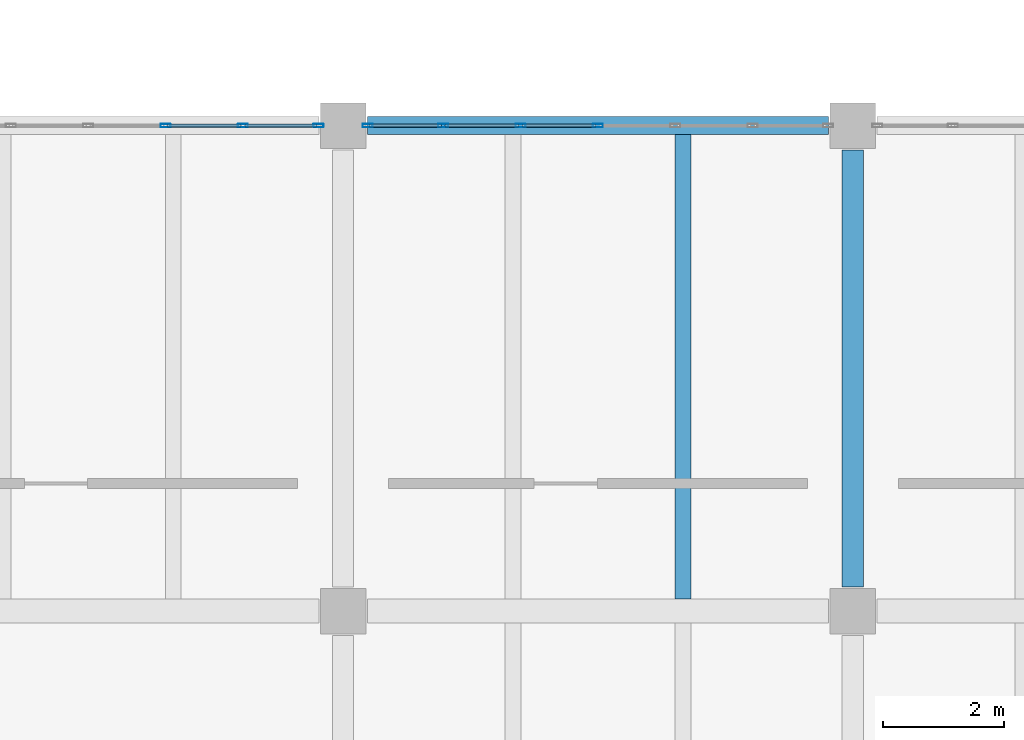
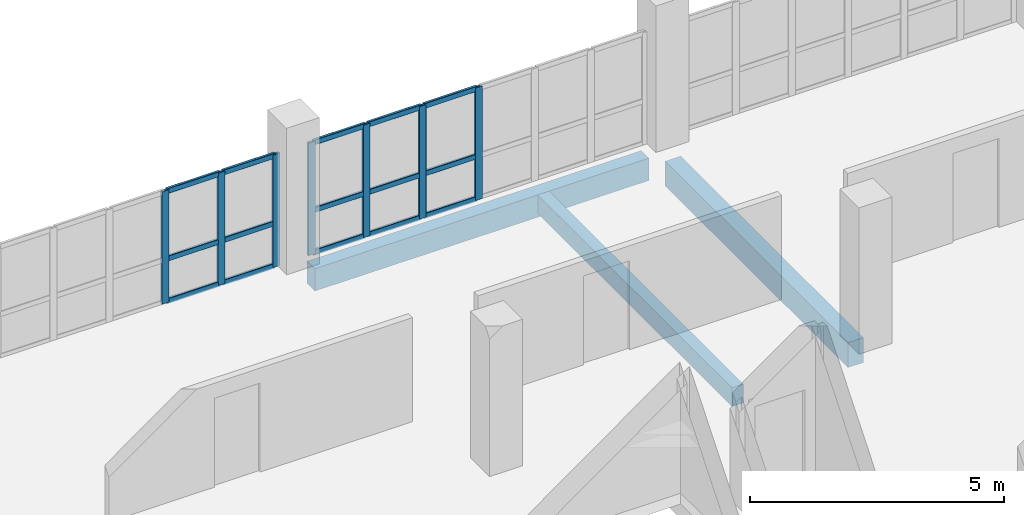
# One storey, part 20 of 95: 22 members, 3 beams, 2 elements without a shape of their own.
"""IFC4 building model written with IfcOpenShell, lengths in metres."""

from ifc_helpers import new_model, si_unit, direction, frame, origin, origin_2d, place, context, subcontext, project, spatial, rectangle, hollow_rectangle, extrude, material, layer, layer_set, material_profile, profile_set, type_object, element, aggregate, save


model = new_model("IFC4")

# Units and contexts
model_context = context("Model", 3, precision=1e-05, world=origin(), true_north=direction((0.0, 1.0)))
body_context = subcontext(model_context, "Body", "Model", "MODEL_VIEW")
ifc_project = project(units=[si_unit("LENGTHUNIT", "METRE"), si_unit("AREAUNIT", "SQUARE_METRE"), si_unit("VOLUMEUNIT", "CUBIC_METRE"), si_unit("PLANEANGLEUNIT", "RADIAN"), si_unit("MASSUNIT", "GRAM", prefix="KILO"), si_unit("THERMODYNAMICTEMPERATUREUNIT", "KELVIN"), si_unit("POWERUNIT", "WATT")], contexts=[model_context])

# Site, building, storey
site_placement = place(None, origin())
site = spatial("IfcSite", under=ifc_project, at=site_placement, CompositionType="ELEMENT")
building_placement = place(site_placement, origin())
building = spatial("IfcBuilding", under=site, at=building_placement, Name="Mavoryth Pier Ferry Terminal", CompositionType="ELEMENT")
storey_placement = place(building_placement, frame((0.0, 0.0, 9.60009765625)))
storey = spatial("IfcBuildingStorey", under=building, at=storey_placement, Name="L02", CompositionType="ELEMENT", Elevation=9.60009765625)

# Beams
ifc_material_1 = material(Name="Concrete C35/45", Category="concrete")
ifc_material_profile_1 = material_profile(ifc_material_1, rectangle(XDim=0.35009765625, YDim=0.60009765625, at=origin_2d()), Name="RC 350x600", Category="concrete")
ifc_profile_set_1 = profile_set([ifc_material_profile_1], Name="Concrete C35/45 - RC 350x600")
beam_type_1 = type_object("IfcBeamType", Name="Girder-RC-350x600", PredefinedType="BEAM", material=ifc_profile_set_1)
beam_1_placement = place(storey_placement, frame((75.60009765625, 14.39990234375, -0.56005859375), z_axis=(0.0, 1.0, 0.0), x_axis=(-1.0, 0.0, 0.0)))
element("IfcBeam", 1, at=beam_1_placement, inside=storey, type_object=beam_type_1, Name="Beam B02-BG08-0989", PredefinedType="BEAM", context=body_context, shape_type="SweptSolid", body=[
    extrude(rectangle(XDim=0.35009765625, YDim=0.60009765625, at=origin_2d()), origin(), (0.0, 0.0, 1.0), 7.2001953125),
])
ifc_material_profile_2 = material_profile(ifc_material_1, rectangle(XDim=0.260009765625, YDim=0.449951171875, at=origin_2d()), Name="RC 260x450", Category="concrete")
ifc_profile_set_2 = profile_set([ifc_material_profile_2], Name="Concrete C35/45 - RC 260x450")
beam_type_2 = type_object("IfcBeamType", Name="Joist-RC-260x450", PredefinedType="JOIST", material=ifc_profile_set_2)
beam_2_placement = place(storey_placement, frame((72.800048828125, 14.199951171875, -0.485107421875), z_axis=(0.0, 1.0, 0.0), x_axis=(-1.0, 0.0, 0.0)))
element("IfcBeam", 2, at=beam_2_placement, inside=storey, type_object=beam_type_2, Name="Beam B02-BJ03-1015", PredefinedType="JOIST", context=body_context, shape_type="SweptSolid", body=[
    extrude(rectangle(XDim=0.260009765625, YDim=0.449951171875, at=origin_2d()), origin(), (0.0, 0.0, 1.0), 7.650146484375),
])

# Curtain wall, members
ifc_material_2 = material(Name="Anodised Aluminium and Solar-Control Low-E Glass", Category="aluminium")
ifc_layer = layer(ifc_material_2, 0.239990234375, Name="Anodised Aluminium and Solar-Control Low-E Glass", Category="aluminium")
ifc_layer_set = layer_set([ifc_layer], Name="Anodised Aluminium and Solar-Control Low-E Glass - CW-Operations-Mod1200")
curtain_wall_type = type_object("IfcCurtainWallType", Name="CW-Operations-Mod1200", PredefinedType="USERDEFINED", material=ifc_layer_set)
curtain_wall_1_placement = place(storey_placement, origin())
curtain_wall_1 = element("IfcCurtainWall", 3, at=curtain_wall_1_placement, inside=storey, type_object=curtain_wall_type, Name="Curtain Wall CW-0222-126", ObjectType="UNITISED CURTAIN WALL", PredefinedType="USERDEFINED")
ifc_material_3 = material(Name="Anodised Aluminium EN AW-6063", Category="aluminium")
ifc_material_profile_3 = material_profile(ifc_material_3, hollow_rectangle(XDim=0.06005859375, YDim=0.1650390625, WallThickness=0.00390625, InnerFilletRadius=0.00390625, OuterFilletRadius=0.008056640625, at=origin_2d()), Name="AL-MULL 165x60x4", Category="aluminium")
ifc_profile_set_3 = profile_set([ifc_material_profile_3], Name="Anodised Aluminium EN AW-6063 - AL-MULL 165x60x4")
member_type_1 = type_object("IfcMemberType", Name="Mullion-Alum-165x60", PredefinedType="MULLION", material=ifc_profile_set_3)
member_1_placement = place(storey_placement, frame((66.794921875, 22.0, 0.0), z_axis=(0.0, 0.0, 1.0), x_axis=(0.0, -1.0, 0.0)))
member_1 = element("IfcMember", 4, at=member_1_placement, type_object=member_type_1, Name="CW06 mullion 1", PredefinedType="MULLION", context=body_context, shape_type="SweptSolid", body=[
    extrude(hollow_rectangle(XDim=0.06005859375, YDim=0.1650390625, WallThickness=0.00390625, InnerFilletRadius=0.00390625, OuterFilletRadius=0.008056640625, at=origin_2d()), origin(), (0.0, 0.0, 1.0), 2.704833984375),
])
member_2_placement = place(storey_placement, frame((65.550048828125, 22.0, 0.0), z_axis=(0.0, 0.0, 1.0), x_axis=(0.0, -1.0, 0.0)))
member_2 = element("IfcMember", 5, at=member_2_placement, type_object=member_type_1, Name="CW06 mullion 2", PredefinedType="MULLION", context=body_context, shape_type="SweptSolid", body=[
    extrude(hollow_rectangle(XDim=0.06005859375, YDim=0.1650390625, WallThickness=0.00390625, InnerFilletRadius=0.00390625, OuterFilletRadius=0.008056640625, at=origin_2d()), origin(), (0.0, 0.0, 1.0), 2.704833984375),
])
member_3_placement = place(storey_placement, frame((64.27490234375, 22.0, 0.0), z_axis=(0.0, 0.0, 1.0), x_axis=(0.0, -1.0, 0.0)))
member_3 = element("IfcMember", 6, at=member_3_placement, type_object=member_type_1, Name="CW06 mullion 3", PredefinedType="MULLION", context=body_context, shape_type="SweptSolid", body=[
    extrude(hollow_rectangle(XDim=0.06005859375, YDim=0.1650390625, WallThickness=0.00390625, InnerFilletRadius=0.00390625, OuterFilletRadius=0.008056640625, at=origin_2d()), origin(), (0.0, 0.0, 1.0), 2.704833984375),
])

curtain_wall_2_placement = place(storey_placement, origin())
curtain_wall_2 = element("IfcCurtainWall", 7, at=curtain_wall_2_placement, inside=storey, type_object=curtain_wall_type, Name="Curtain Wall CW-0222-128", ObjectType="UNITISED CURTAIN WALL", PredefinedType="USERDEFINED")
member_4_placement = place(storey_placement, frame((71.39990234375, 22.0, 0.0), z_axis=(0.0, 0.0, 1.0), x_axis=(0.0, -1.0, 0.0)))
member_4 = element("IfcMember", 8, at=member_4_placement, type_object=member_type_1, Name="CW06 mullion 4", PredefinedType="MULLION", context=body_context, shape_type="SweptSolid", body=[
    extrude(hollow_rectangle(XDim=0.06005859375, YDim=0.1650390625, WallThickness=0.00390625, InnerFilletRadius=0.00390625, OuterFilletRadius=0.008056640625, at=origin_2d()), origin(), (0.0, 0.0, 1.0), 2.704833984375),
])
member_5_placement = place(storey_placement, frame((70.125, 22.0, 0.0), z_axis=(0.0, 0.0, 1.0), x_axis=(0.0, -1.0, 0.0)))
member_5 = element("IfcMember", 9, at=member_5_placement, type_object=member_type_1, Name="CW06 mullion 5", PredefinedType="MULLION", context=body_context, shape_type="SweptSolid", body=[
    extrude(hollow_rectangle(XDim=0.06005859375, YDim=0.1650390625, WallThickness=0.00390625, InnerFilletRadius=0.00390625, OuterFilletRadius=0.008056640625, at=origin_2d()), origin(), (0.0, 0.0, 1.0), 2.704833984375),
])
member_6_placement = place(storey_placement, frame((68.85009765625, 22.0, 0.0), z_axis=(0.0, 0.0, 1.0), x_axis=(0.0, -1.0, 0.0)))
member_6 = element("IfcMember", 10, at=member_6_placement, type_object=member_type_1, Name="CW06 mullion 6", PredefinedType="MULLION", context=body_context, shape_type="SweptSolid", body=[
    extrude(hollow_rectangle(XDim=0.06005859375, YDim=0.1650390625, WallThickness=0.00390625, InnerFilletRadius=0.00390625, OuterFilletRadius=0.008056640625, at=origin_2d()), origin(), (0.0, 0.0, 1.0), 2.704833984375),
])
member_7_placement = place(storey_placement, frame((67.60498046875, 22.0, 0.0), z_axis=(0.0, 0.0, 1.0), x_axis=(0.0, -1.0, 0.0)))
member_7 = element("IfcMember", 11, at=member_7_placement, type_object=member_type_1, Name="CW06 mullion 7", PredefinedType="MULLION", context=body_context, shape_type="SweptSolid", body=[
    extrude(hollow_rectangle(XDim=0.06005859375, YDim=0.1650390625, WallThickness=0.00390625, InnerFilletRadius=0.00390625, OuterFilletRadius=0.008056640625, at=origin_2d()), origin(), (0.0, 0.0, 1.0), 2.704833984375),
])

# Beam
ifc_material_profile_4 = material_profile(ifc_material_1, rectangle(XDim=0.300048828125, YDim=0.5400390625, at=origin_2d()), Name="RC 300x540", Category="concrete")
ifc_profile_set_4 = profile_set([ifc_material_profile_4], Name="Concrete C35/45 - RC 300x540")
beam_type_3 = type_object("IfcBeamType", Name="Spandrel-RC-300x540", PredefinedType="SPANDREL", material=ifc_profile_set_4)
beam_3_placement = place(storey_placement, frame((67.60009765625, 22.0, -0.530029296875), z_axis=(1.0, 0.0, 0.0), x_axis=(0.0, 1.0, 0.0)))
element("IfcBeam", 12, at=beam_3_placement, inside=storey, type_object=beam_type_3, Name="Beam B02-SP02-0972", PredefinedType="SPANDREL", context=body_context, shape_type="SweptSolid", body=[
    extrude(rectangle(XDim=0.300048828125, YDim=0.5400390625, at=origin_2d()), origin(), (0.0, 0.0, 1.0), 7.599853515625),
])

# Member
ifc_material_profile_5 = material_profile(ifc_material_3, hollow_rectangle(XDim=0.06005859375, YDim=0.125, WallThickness=0.00390625, InnerFilletRadius=0.00390625, OuterFilletRadius=0.008056640625, at=origin_2d()), Name="AL-TRAN 125x60x4", Category="aluminium")
ifc_profile_set_5 = profile_set([ifc_material_profile_5], Name="Anodised Aluminium EN AW-6063 - AL-TRAN 125x60x4")
member_type_2 = type_object("IfcMemberType", Name="Transom-Alum-125x60", PredefinedType="USERDEFINED", material=ifc_profile_set_5)
member_8_placement = place(storey_placement, frame((66.764892578125, 22.0, 0.02978515625), z_axis=(-1.0, 0.0, 0.0), x_axis=(0.0, -1.0, 0.0)))
member_8 = element("IfcMember", 13, at=member_8_placement, type_object=member_type_2, Name="CW06 transom 1.1", ObjectType="TRANSOM", PredefinedType="USERDEFINED", context=body_context, shape_type="SweptSolid", body=[
    extrude(hollow_rectangle(XDim=0.06005859375, YDim=0.125, WallThickness=0.00390625, InnerFilletRadius=0.00390625, OuterFilletRadius=0.008056640625, at=origin_2d()), origin(), (0.0, 0.0, 1.0), 1.184814453125),
])

member_9_placement = place(storey_placement, frame((66.764892578125, 22.0, 1.0498046875), z_axis=(-1.0, 0.0, 0.0), x_axis=(0.0, -1.0, 0.0)))
member_9 = element("IfcMember", 14, at=member_9_placement, type_object=member_type_2, Name="CW06 transom 1.2", ObjectType="TRANSOM", PredefinedType="USERDEFINED", context=body_context, shape_type="SweptSolid", body=[
    extrude(hollow_rectangle(XDim=0.06005859375, YDim=0.125, WallThickness=0.00390625, InnerFilletRadius=0.00390625, OuterFilletRadius=0.008056640625, at=origin_2d()), origin(), (0.0, 0.0, 1.0), 1.184814453125),
])

member_10_placement = place(storey_placement, frame((66.764892578125, 22.0, 2.6748046875), z_axis=(-1.0, 0.0, 0.0), x_axis=(0.0, -1.0, 0.0)))
member_10 = element("IfcMember", 15, at=member_10_placement, type_object=member_type_2, Name="CW06 transom 1.3", ObjectType="TRANSOM", PredefinedType="USERDEFINED", context=body_context, shape_type="SweptSolid", body=[
    extrude(hollow_rectangle(XDim=0.06005859375, YDim=0.125, WallThickness=0.00390625, InnerFilletRadius=0.00390625, OuterFilletRadius=0.008056640625, at=origin_2d()), origin(), (0.0, 0.0, 1.0), 1.184814453125),
])

member_11_placement = place(storey_placement, frame((65.52001953125, 22.0, 0.02978515625), z_axis=(-1.0, 0.0, 0.0), x_axis=(0.0, -1.0, 0.0)))
member_11 = element("IfcMember", 16, at=member_11_placement, type_object=member_type_2, Name="CW06 transom 2.1", ObjectType="TRANSOM", PredefinedType="USERDEFINED", context=body_context, shape_type="SweptSolid", body=[
    extrude(hollow_rectangle(XDim=0.06005859375, YDim=0.125, WallThickness=0.00390625, InnerFilletRadius=0.00390625, OuterFilletRadius=0.008056640625, at=origin_2d()), origin(), (0.0, 0.0, 1.0), 1.215087890625),
])

member_12_placement = place(storey_placement, frame((65.52001953125, 22.0, 1.0498046875), z_axis=(-1.0, 0.0, 0.0), x_axis=(0.0, -1.0, 0.0)))
member_12 = element("IfcMember", 17, at=member_12_placement, type_object=member_type_2, Name="CW06 transom 2.2", ObjectType="TRANSOM", PredefinedType="USERDEFINED", context=body_context, shape_type="SweptSolid", body=[
    extrude(hollow_rectangle(XDim=0.06005859375, YDim=0.125, WallThickness=0.00390625, InnerFilletRadius=0.00390625, OuterFilletRadius=0.008056640625, at=origin_2d()), origin(), (0.0, 0.0, 1.0), 1.215087890625),
])

member_13_placement = place(storey_placement, frame((65.52001953125, 22.0, 2.6748046875), z_axis=(-1.0, 0.0, 0.0), x_axis=(0.0, -1.0, 0.0)))
member_13 = element("IfcMember", 18, at=member_13_placement, type_object=member_type_2, Name="CW06 transom 2.3", ObjectType="TRANSOM", PredefinedType="USERDEFINED", context=body_context, shape_type="SweptSolid", body=[
    extrude(hollow_rectangle(XDim=0.06005859375, YDim=0.125, WallThickness=0.00390625, InnerFilletRadius=0.00390625, OuterFilletRadius=0.008056640625, at=origin_2d()), origin(), (0.0, 0.0, 1.0), 1.215087890625),
])

aggregate(curtain_wall_1, [member_1, member_2, member_3, member_8, member_9, member_10, member_11, member_12, member_13])

member_14_placement = place(storey_placement, frame((71.3701171875, 22.0, 0.02978515625), z_axis=(-1.0, 0.0, 0.0), x_axis=(0.0, -1.0, 0.0)))
member_14 = element("IfcMember", 19, at=member_14_placement, type_object=member_type_2, Name="CW06 transom 4.1", ObjectType="TRANSOM", PredefinedType="USERDEFINED", context=body_context, shape_type="SweptSolid", body=[
    extrude(hollow_rectangle(XDim=0.06005859375, YDim=0.125, WallThickness=0.00390625, InnerFilletRadius=0.00390625, OuterFilletRadius=0.008056640625, at=origin_2d()), origin(), (0.0, 0.0, 1.0), 1.215087890625),
])

member_15_placement = place(storey_placement, frame((71.3701171875, 22.0, 1.0498046875), z_axis=(-1.0, 0.0, 0.0), x_axis=(0.0, -1.0, 0.0)))
member_15 = element("IfcMember", 20, at=member_15_placement, type_object=member_type_2, Name="CW06 transom 4.2", ObjectType="TRANSOM", PredefinedType="USERDEFINED", context=body_context, shape_type="SweptSolid", body=[
    extrude(hollow_rectangle(XDim=0.06005859375, YDim=0.125, WallThickness=0.00390625, InnerFilletRadius=0.00390625, OuterFilletRadius=0.008056640625, at=origin_2d()), origin(), (0.0, 0.0, 1.0), 1.215087890625),
])

member_16_placement = place(storey_placement, frame((71.3701171875, 22.0, 2.6748046875), z_axis=(-1.0, 0.0, 0.0), x_axis=(0.0, -1.0, 0.0)))
member_16 = element("IfcMember", 21, at=member_16_placement, type_object=member_type_2, Name="CW06 transom 4.3", ObjectType="TRANSOM", PredefinedType="USERDEFINED", context=body_context, shape_type="SweptSolid", body=[
    extrude(hollow_rectangle(XDim=0.06005859375, YDim=0.125, WallThickness=0.00390625, InnerFilletRadius=0.00390625, OuterFilletRadius=0.008056640625, at=origin_2d()), origin(), (0.0, 0.0, 1.0), 1.215087890625),
])

member_17_placement = place(storey_placement, frame((70.094970703125, 22.0, 0.02978515625), z_axis=(-1.0, 0.0, 0.0), x_axis=(0.0, -1.0, 0.0)))
member_17 = element("IfcMember", 22, at=member_17_placement, type_object=member_type_2, Name="CW06 transom 5.1", ObjectType="TRANSOM", PredefinedType="USERDEFINED", context=body_context, shape_type="SweptSolid", body=[
    extrude(hollow_rectangle(XDim=0.06005859375, YDim=0.125, WallThickness=0.00390625, InnerFilletRadius=0.00390625, OuterFilletRadius=0.008056640625, at=origin_2d()), origin(), (0.0, 0.0, 1.0), 1.215087890625),
])

member_18_placement = place(storey_placement, frame((70.094970703125, 22.0, 1.0498046875), z_axis=(-1.0, 0.0, 0.0), x_axis=(0.0, -1.0, 0.0)))
member_18 = element("IfcMember", 23, at=member_18_placement, type_object=member_type_2, Name="CW06 transom 5.2", ObjectType="TRANSOM", PredefinedType="USERDEFINED", context=body_context, shape_type="SweptSolid", body=[
    extrude(hollow_rectangle(XDim=0.06005859375, YDim=0.125, WallThickness=0.00390625, InnerFilletRadius=0.00390625, OuterFilletRadius=0.008056640625, at=origin_2d()), origin(), (0.0, 0.0, 1.0), 1.215087890625),
])

member_19_placement = place(storey_placement, frame((70.094970703125, 22.0, 2.6748046875), z_axis=(-1.0, 0.0, 0.0), x_axis=(0.0, -1.0, 0.0)))
member_19 = element("IfcMember", 24, at=member_19_placement, type_object=member_type_2, Name="CW06 transom 5.3", ObjectType="TRANSOM", PredefinedType="USERDEFINED", context=body_context, shape_type="SweptSolid", body=[
    extrude(hollow_rectangle(XDim=0.06005859375, YDim=0.125, WallThickness=0.00390625, InnerFilletRadius=0.00390625, OuterFilletRadius=0.008056640625, at=origin_2d()), origin(), (0.0, 0.0, 1.0), 1.215087890625),
])

member_20_placement = place(storey_placement, frame((68.820068359375, 22.0, 0.02978515625), z_axis=(-1.0, 0.0, 0.0), x_axis=(0.0, -1.0, 0.0)))
member_20 = element("IfcMember", 25, at=member_20_placement, type_object=member_type_2, Name="CW06 transom 6.1", ObjectType="TRANSOM", PredefinedType="USERDEFINED", context=body_context, shape_type="SweptSolid", body=[
    extrude(hollow_rectangle(XDim=0.06005859375, YDim=0.125, WallThickness=0.00390625, InnerFilletRadius=0.00390625, OuterFilletRadius=0.008056640625, at=origin_2d()), origin(), (0.0, 0.0, 1.0), 1.18505859375),
])

member_21_placement = place(storey_placement, frame((68.820068359375, 22.0, 1.0498046875), z_axis=(-1.0, 0.0, 0.0), x_axis=(0.0, -1.0, 0.0)))
member_21 = element("IfcMember", 26, at=member_21_placement, type_object=member_type_2, Name="CW06 transom 6.2", ObjectType="TRANSOM", PredefinedType="USERDEFINED", context=body_context, shape_type="SweptSolid", body=[
    extrude(hollow_rectangle(XDim=0.06005859375, YDim=0.125, WallThickness=0.00390625, InnerFilletRadius=0.00390625, OuterFilletRadius=0.008056640625, at=origin_2d()), origin(), (0.0, 0.0, 1.0), 1.18505859375),
])

member_22_placement = place(storey_placement, frame((68.820068359375, 22.0, 2.6748046875), z_axis=(-1.0, 0.0, 0.0), x_axis=(0.0, -1.0, 0.0)))
member_22 = element("IfcMember", 27, at=member_22_placement, type_object=member_type_2, Name="CW06 transom 6.3", ObjectType="TRANSOM", PredefinedType="USERDEFINED", context=body_context, shape_type="SweptSolid", body=[
    extrude(hollow_rectangle(XDim=0.06005859375, YDim=0.125, WallThickness=0.00390625, InnerFilletRadius=0.00390625, OuterFilletRadius=0.008056640625, at=origin_2d()), origin(), (0.0, 0.0, 1.0), 1.18505859375),
])

aggregate(curtain_wall_2, [member_4, member_5, member_6, member_7, member_14, member_15, member_16, member_17, member_18, member_19, member_20, member_21, member_22])

save(model, "model.ifc")
